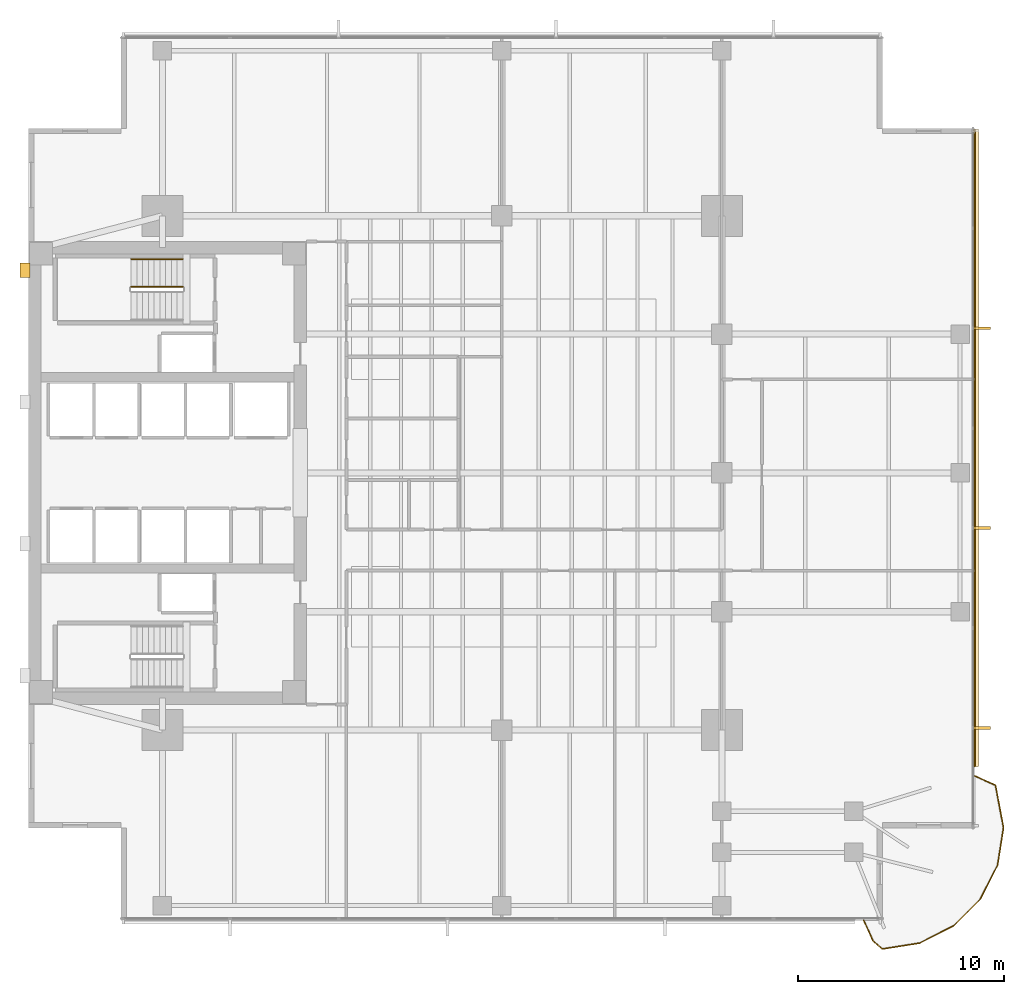
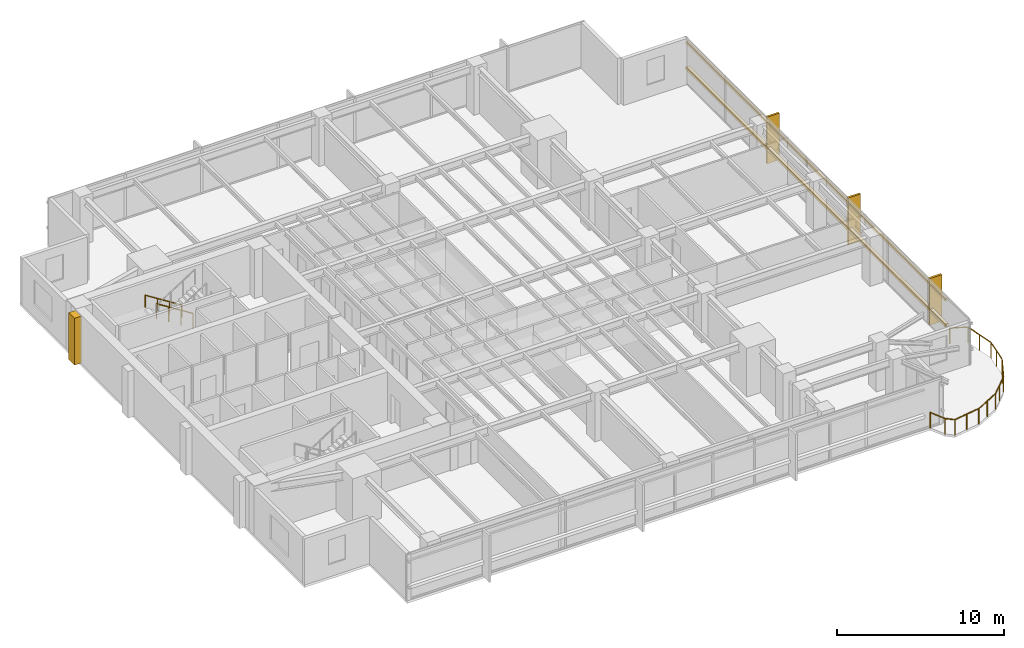
# One storey, part 14 of 15: 11 railings, 6 coverings, 2 shading devices.
"""IFC4 building model written with IfcOpenShell, lengths in metres."""

from ifc_helpers import new_model, si_unit, direction, frame, origin, origin_2d, place, context, subcontext, project, spatial, polyline, rectangle, circle, outline, extrude, material, layer, layer_set, material_profile, profile_set, type_object, element, save


model = new_model("IFC4")

# Units and contexts
model_context = context("Model", 3, precision=1e-05, world=origin(), true_north=direction((0.0, 1.0)))
body_context = subcontext(model_context, "Body", "Model", "MODEL_VIEW")
ifc_project = project(units=[si_unit("LENGTHUNIT", "METRE"), si_unit("AREAUNIT", "SQUARE_METRE"), si_unit("VOLUMEUNIT", "CUBIC_METRE"), si_unit("PLANEANGLEUNIT", "RADIAN"), si_unit("MASSUNIT", "GRAM", prefix="KILO")], contexts=[model_context])

# Site, building, storey
site_placement = place(None, origin())
site = spatial("IfcSite", under=ifc_project, at=site_placement, CompositionType="ELEMENT")
building_placement = place(site_placement, origin())
building = spatial("IfcBuilding", under=site, at=building_placement, Name="Kinhvarn Gate Tower", CompositionType="ELEMENT")
storey_placement = place(building_placement, frame((0.0, 0.0, 112.89990234375)))
storey = spatial("IfcBuildingStorey", under=building, at=storey_placement, Name="L29", CompositionType="ELEMENT", Elevation=112.89990234375)

# Coverings
ifc_material_1 = material(Name="Fired architectural terracotta", Category="masonry")
ifc_layer_1 = layer(ifc_material_1, 0.239990234375)
ifc_layer_set_1 = layer_set([ifc_layer_1], Name="Fired architectural terracotta")
covering_type_1 = type_object("IfcCoveringType", Name="COV-BAG-220", PredefinedType="CLADDING", material=ifc_layer_set_1)
for number, where, name in (
    (1, (0.0, 0.0, 0.940185546875), "Terracotta Horizontal Sunscreen Band TBG-220 (L29)"),
    (2, (0.0, 0.0, 2.81005859375), "Terracotta Horizontal Sunscreen Band TBG-220 (L29)"),
):
    element("IfcCovering", number, at=place(storey_placement, frame(where)), inside=storey, type_object=covering_type_1, Name=name, PredefinedType="CLADDING", context=body_context, shape_type="SweptSolid", body=[
        extrude(outline(polyline([(50.429931640625, 10.968994140625), (50.429931640625, 41.9599609375), (50.669921875, 41.9599609375), (50.669921875, 10.968994140625), (50.429931640625, 10.968994140625)])), origin(), (0.0, 0.0, 1.0), 0.219970703125),
    ])
ifc_layer_2 = layer(ifc_material_1, 0.139892578125)
ifc_layer_set_2 = layer_set([ifc_layer_2], Name="Fired architectural terracotta")
covering_type_2 = type_object("IfcCoveringType", Name="COV-FIN-850", PredefinedType="CLADDING", material=ifc_layer_set_2)
covering_1_placement = place(storey_placement, frame((0.0, 0.0, -0.02001953125)))
element("IfcCovering", 3, at=covering_1_placement, inside=storey, type_object=covering_type_2, Name="Vertical Terracotta Expressive Fin TFN-850 (L29)", PredefinedType="CLADDING", context=body_context, shape_type="SweptSolid", body=[
    extrude(outline(polyline([(50.419921875, 12.787109375), (50.419921875, 12.927001953125), (51.27001953125, 12.927001953125), (51.27001953125, 12.787109375), (50.419921875, 12.787109375)])), origin(), (0.0, 0.0, 1.0), 3.41015625),
])
covering_2_placement = place(storey_placement, frame((0.0, 0.0, -0.02001953125)))
element("IfcCovering", 4, at=covering_2_placement, inside=storey, type_object=covering_type_2, Name="Vertical Terracotta Expressive Fin TFN-850 (L29)", PredefinedType="CLADDING", context=body_context, shape_type="SweptSolid", body=[
    extrude(outline(polyline([(50.419921875, 22.50146484375), (50.419921875, 22.641357421875), (51.27001953125, 22.641357421875), (51.27001953125, 22.50146484375), (50.419921875, 22.50146484375)])), origin(), (0.0, 0.0, 1.0), 3.41015625),
])
covering_3_placement = place(storey_placement, frame((0.0, 0.0, -0.02001953125)))
element("IfcCovering", 5, at=covering_3_placement, inside=storey, type_object=covering_type_2, Name="Vertical Terracotta Expressive Fin TFN-850 (L29)", PredefinedType="CLADDING", context=body_context, shape_type="SweptSolid", body=[
    extrude(outline(polyline([(50.419921875, 32.2158203125), (50.419921875, 32.355712890625), (51.27001953125, 32.355712890625), (51.27001953125, 32.2158203125), (50.419921875, 32.2158203125)])), origin(), (0.0, 0.0, 1.0), 3.41015625),
])
ifc_material_2 = material(Name="Precast white architectural concrete C40/50", Category="concrete")
ifc_layer_3 = layer(ifc_material_2, 0.47998046875)
ifc_layer_set_3 = layer_set([ifc_layer_3], Name="Precast white architectural concrete C40/50")
covering_type_3 = type_object("IfcCoveringType", Name="COV-RIB-450", PredefinedType="CLADDING", material=ifc_layer_set_3)
covering_4_placement = place(storey_placement, frame((0.0, 0.0, -0.02001953125)))
element("IfcCovering", 6, at=covering_4_placement, inside=storey, type_object=covering_type_3, Name="West Core Sculptural Concrete Relief Rib CRB-450 (L29)", PredefinedType="CLADDING", context=body_context, shape_type="SweptSolid", body=[
    extrude(outline(polyline([(4.080078125, 34.75), (4.56005859375, 34.75), (4.56005859375, 35.449951171875), (4.080078125, 35.449951171875), (4.080078125, 34.75)])), origin(), (0.0, 0.0, 1.0), 3.41015625),
])

# Railings
ifc_material_3 = material(Name="Clear low-e double glazing", Category="glass")
railing_type_1 = type_object("IfcRailingType", Name="RL-BAL-1150", PredefinedType="BALUSTRADE", material=ifc_material_3)
railing_1_placement = place(storey_placement, frame((45.09912109375, 3.5, 0.0)))
element("IfcRailing", 7, at=railing_1_placement, inside=storey, type_object=railing_type_1, Name="S-Carve Balcony Guardrail Seg 1 (L29)", PredefinedType="BALUSTRADE", context=body_context, shape_type="SweptSolid", body=[
    extrude(circle(Radius=0.02392578125, at=origin_2d()), frame((0.0, 0.0, 1.1259765625), z_axis=(0.409579079217, -0.912274617573, 0.0), x_axis=(0.912274617573, 0.409579079217, 0.0)), (0.0, 0.0, 1.0), 1.0986328125),
    extrude(circle(Radius=0.02099609375, at=origin_2d()), origin(), (0.0, 0.0, 1.0), 1.101806640625),
    extrude(circle(Radius=0.02099609375, at=origin_2d()), frame((0.449951171875, -1.002197265625, 0.0)), (0.0, 0.0, 1.0), 1.101806640625),
])
railing_2_placement = place(storey_placement, frame((45.549072265625, 2.497802734375, 0.0)))
element("IfcRailing", 8, at=railing_2_placement, inside=storey, type_object=railing_type_1, Name="S-Carve Balcony Guardrail Seg 2 (L29)", PredefinedType="BALUSTRADE", context=body_context, shape_type="SweptSolid", body=[
    extrude(circle(Radius=0.02392578125, at=origin_2d()), frame((0.0, 0.0, 1.1259765625), z_axis=(0.756445316793, -0.654056941483, 0.0), x_axis=(0.654056941483, 0.756445316793, 0.0)), (0.0, 0.0, 1.0), 0.59619140625),
    extrude(circle(Radius=0.02099609375, at=origin_2d()), origin(), (0.0, 0.0, 1.0), 1.101806640625),
    extrude(circle(Radius=0.02099609375, at=origin_2d()), frame((0.450927734375, -0.389892578125, 0.0)), (0.0, 0.0, 1.0), 1.101806640625),
])
railing_3_placement = place(storey_placement, frame((46.0, 2.10791015625, 0.0)))
element("IfcRailing", 9, at=railing_3_placement, inside=storey, type_object=railing_type_1, Name="S-Carve Balcony Guardrail Seg 3 (L29)", PredefinedType="BALUSTRADE", context=body_context, shape_type="SweptSolid", body=[
    extrude(circle(Radius=0.02392578125, at=origin_2d()), frame((0.0, 0.0, 1.1259765625), z_axis=(0.987672603698, 0.156533791576, 0.0), x_axis=(-0.156533791576, 0.987672603698, 0.0)), (0.0, 0.0, 1.0), 1.843505859375),
    extrude(circle(Radius=0.02099609375, at=origin_2d()), origin(), (0.0, 0.0, 1.0), 1.101806640625),
    extrude(circle(Radius=0.02099609375, at=origin_2d()), frame((0.910400390625, 0.144287109375, 0.0)), (0.0, 0.0, 1.0), 1.101806640625),
    extrude(circle(Radius=0.02099609375, at=origin_2d()), frame((1.82080078125, 0.28857421875, 0.0)), (0.0, 0.0, 1.0), 1.101806640625),
])
railing_4_placement = place(storey_placement, frame((47.82080078125, 2.396484375, 0.0)))
element("IfcRailing", 10, at=railing_4_placement, inside=storey, type_object=railing_type_1, Name="S-Carve Balcony Guardrail Seg 4 (L29)", PredefinedType="BALUSTRADE", context=body_context, shape_type="SweptSolid", body=[
    extrude(circle(Radius=0.02392578125, at=origin_2d()), frame((0.0, 0.0, 1.1259765625), z_axis=(0.890983897568, 0.454034904246, 0.0), x_axis=(-0.454034904246, 0.890983897568, 0.0)), (0.0, 0.0, 1.0), 1.84326171875),
    extrude(circle(Radius=0.02099609375, at=origin_2d()), origin(), (0.0, 0.0, 1.0), 1.101806640625),
    extrude(circle(Radius=0.02099609375, at=origin_2d()), frame((0.8212890625, 0.41845703125, 0.0)), (0.0, 0.0, 1.0), 1.101806640625),
    extrude(circle(Radius=0.02099609375, at=origin_2d()), frame((1.642333984375, 0.8369140625, 0.0)), (0.0, 0.0, 1.0), 1.101806640625),
])
railing_5_placement = place(storey_placement, frame((49.463134765625, 3.2333984375, 0.0)))
element("IfcRailing", 11, at=railing_5_placement, inside=storey, type_object=railing_type_1, Name="S-Carve Balcony Guardrail Seg 5 (L29)", PredefinedType="BALUSTRADE", context=body_context, shape_type="SweptSolid", body=[
    extrude(circle(Radius=0.02392578125, at=origin_2d()), frame((0.0, 0.0, 1.1259765625), z_axis=(0.707106781187, 0.707106781187, 0.0), x_axis=(-0.707106781187, 0.707106781187, 0.0)), (0.0, 0.0, 1.0), 1.84326171875),
    extrude(circle(Radius=0.02099609375, at=origin_2d()), origin(), (0.0, 0.0, 1.0), 1.101806640625),
    extrude(circle(Radius=0.02099609375, at=origin_2d()), frame((0.65185546875, 0.65185546875, 0.0)), (0.0, 0.0, 1.0), 1.101806640625),
    extrude(circle(Radius=0.02099609375, at=origin_2d()), frame((1.303466796875, 1.303466796875, 0.0)), (0.0, 0.0, 1.0), 1.101806640625),
])
railing_6_placement = place(storey_placement, frame((50.7666015625, 4.536865234375, 0.0)))
element("IfcRailing", 12, at=railing_6_placement, inside=storey, type_object=railing_type_1, Name="S-Carve Balcony Guardrail Seg 6 (L29)", PredefinedType="BALUSTRADE", context=body_context, shape_type="SweptSolid", body=[
    extrude(circle(Radius=0.02392578125, at=origin_2d()), frame((0.0, 0.0, 1.1259765625), z_axis=(0.454034904246, 0.890983897568, 0.0), x_axis=(-0.890983897568, 0.454034904246, 0.0)), (0.0, 0.0, 1.0), 1.84326171875),
    extrude(circle(Radius=0.02099609375, at=origin_2d()), origin(), (0.0, 0.0, 1.0), 1.101806640625),
    extrude(circle(Radius=0.02099609375, at=origin_2d()), frame((0.41845703125, 0.8212890625, 0.0)), (0.0, 0.0, 1.0), 1.101806640625),
    extrude(circle(Radius=0.02099609375, at=origin_2d()), frame((0.8369140625, 1.642333984375, 0.0)), (0.0, 0.0, 1.0), 1.101806640625),
])
railing_7_placement = place(storey_placement, frame((51.603515625, 6.17919921875, 0.0)))
element("IfcRailing", 13, at=railing_7_placement, inside=storey, type_object=railing_type_1, Name="S-Carve Balcony Guardrail Seg 7 (L29)", PredefinedType="BALUSTRADE", context=body_context, shape_type="SweptSolid", body=[
    extrude(circle(Radius=0.02392578125, at=origin_2d()), frame((0.0, 0.0, 1.1259765625), z_axis=(0.156533791576, 0.987672603698, 0.0), x_axis=(-0.987672603698, 0.156533791576, 0.0)), (0.0, 0.0, 1.0), 1.843505859375),
    extrude(circle(Radius=0.02099609375, at=origin_2d()), origin(), (0.0, 0.0, 1.0), 1.101806640625),
    extrude(circle(Radius=0.02099609375, at=origin_2d()), frame((0.144287109375, 0.910400390625, 0.0)), (0.0, 0.0, 1.0), 1.101806640625),
    extrude(circle(Radius=0.02099609375, at=origin_2d()), frame((0.28857421875, 1.82080078125, 0.0)), (0.0, 0.0, 1.0), 1.101806640625),
])
railing_8_placement = place(storey_placement, frame((51.89208984375, 8.0, 0.0)))
element("IfcRailing", 14, at=railing_8_placement, inside=storey, type_object=railing_type_1, Name="S-Carve Balcony Guardrail Seg 8 (L29)", PredefinedType="BALUSTRADE", context=body_context, shape_type="SweptSolid", body=[
    extrude(circle(Radius=0.02392578125, at=origin_2d()), frame((0.0, 0.0, 1.1259765625), z_axis=(-0.185177581574, 0.982705074416, 0.0), x_axis=(-0.982705074416, -0.185177581574, 0.0)), (0.0, 0.0, 1.0), 2.10546875),
    extrude(circle(Radius=0.02099609375, at=origin_2d()), origin(), (0.0, 0.0, 1.0), 1.101806640625),
    extrude(circle(Radius=0.02099609375, at=origin_2d()), frame((-0.19482421875, 1.03466796875, 0.0)), (0.0, 0.0, 1.0), 1.101806640625),
    extrude(circle(Radius=0.02099609375, at=origin_2d()), frame((-0.389892578125, 2.069091796875, 0.0)), (0.0, 0.0, 1.0), 1.101806640625),
])
railing_9_placement = place(storey_placement, frame((51.502197265625, 10.069091796875, 0.0)))
element("IfcRailing", 15, at=railing_9_placement, inside=storey, type_object=railing_type_1, Name="S-Carve Balcony Guardrail Seg 9 (L29)", PredefinedType="BALUSTRADE", context=body_context, shape_type="SweptSolid", body=[
    extrude(circle(Radius=0.02392578125, at=origin_2d()), frame((0.0, 0.0, 1.1259765625), z_axis=(-0.912274617573, 0.409579079217, 0.0), x_axis=(-0.409579079217, -0.912274617573, 0.0)), (0.0, 0.0, 1.0), 1.0986328125),
    extrude(circle(Radius=0.02099609375, at=origin_2d()), origin(), (0.0, 0.0, 1.0), 1.101806640625),
    extrude(circle(Radius=0.02099609375, at=origin_2d()), frame((-1.002197265625, 0.449951171875, 0.0)), (0.0, 0.0, 1.0), 1.101806640625),
])
ifc_material_4 = material(Name="Steel S355", Category="steel")
railing_type_2 = type_object("IfcRailingType", Name="RL-ST-GRD", PredefinedType="BALUSTRADE", material=ifc_material_4)
railing_10_placement = place(storey_placement, frame((12.0, 34.300048828125, 0.177490234375)))
element("IfcRailing", 16, at=railing_10_placement, inside=storey, type_object=railing_type_2, Name="L29 ST2 stair guard 1", PredefinedType="BALUSTRADE", context=body_context, shape_type="SweptSolid", body=[
    extrude(circle(Radius=0.02392578125, at=origin_2d()), frame((0.0, 0.0, 1.076171875), z_axis=(-0.84456994832, 0.0, 0.535445237532), x_axis=(0.0, -1.0, 0.0)), (0.0, 0.0, 1.0), 2.98388671875),
    extrude(circle(Radius=0.02099609375, at=origin_2d()), origin(), (0.0, 0.0, 1.0), 1.052001953125),
    extrude(circle(Radius=0.02099609375, at=origin_2d()), frame((-0.840087890625, 0.0, 0.532470703125)), (0.0, 0.0, 1.0), 1.052001953125),
    extrude(circle(Radius=0.02099609375, at=origin_2d()), frame((-1.679931640625, 0.0, 1.065185546875)), (0.0, 0.0, 1.0), 1.052001953125),
    extrude(circle(Radius=0.02099609375, at=origin_2d()), frame((-2.52001953125, 0.0, 1.59765625)), (0.0, 0.0, 1.0), 1.052001953125),
])
railing_type_3 = type_object("IfcRailingType", Name="RL-ST-HND", PredefinedType="HANDRAIL", material=ifc_material_4)
railing_11_placement = place(storey_placement, frame((12.0, 35.64990234375, 0.177490234375)))
element("IfcRailing", 17, at=railing_11_placement, inside=storey, type_object=railing_type_3, Name="L29 ST2 stair handrail 1", PredefinedType="HANDRAIL", context=body_context, shape_type="SweptSolid", body=[
    extrude(circle(Radius=0.02392578125, at=origin_2d()), frame((0.0, 0.0, 0.8759765625), z_axis=(-0.84456994832, 0.0, 0.535445237532), x_axis=(0.0, -1.0, 0.0)), (0.0, 0.0, 1.0), 2.98388671875),
    extrude(circle(Radius=0.02099609375, at=origin_2d()), origin(), (0.0, 0.0, 1.0), 0.851806640625),
    extrude(circle(Radius=0.02099609375, at=origin_2d()), frame((-0.840087890625, 0.0, 0.532470703125)), (0.0, 0.0, 1.0), 0.851806640625),
    extrude(circle(Radius=0.02099609375, at=origin_2d()), frame((-1.679931640625, 0.0, 1.065185546875)), (0.0, 0.0, 1.0), 0.851806640625),
    extrude(circle(Radius=0.02099609375, at=origin_2d()), frame((-2.52001953125, 0.0, 1.59765625)), (0.0, 0.0, 1.0), 0.851806640625),
])

# Shading devices
ifc_material_profile = material_profile(ifc_material_1, rectangle(XDim=0.050048828125, YDim=0.1201171875, at=origin_2d()), Name="TC 50x120")
ifc_profile_set = profile_set([ifc_material_profile], Name="Fired architectural terracotta")
shading_device_type = type_object("IfcShadingDeviceType", Name="SHD-BAG-140", PredefinedType="USERDEFINED", material=ifc_profile_set)
for number, where, z_axis, x_axis, name in (
    (18, (50.5, 10.968994140625, 1.050048828125), (0.0, 1.0, 0.0), (-1.0, 0.0, 0.0), "Upper Tower Terracotta Baguette Screen Rod 50x120 mm (L29)"),
    (19, (50.5, 10.968994140625, 2.920166015625), (0.0, 1.0, 0.0), (-1.0, 0.0, 0.0), "Upper Tower Terracotta Baguette Screen Rod 50x120 mm (L29)"),
):
    element("IfcShadingDevice", number, at=place(storey_placement, frame(where, z_axis=z_axis, x_axis=x_axis)), inside=storey, type_object=shading_device_type, Name=name, ObjectType="BAGUETTE", PredefinedType="USERDEFINED", context=body_context, shape_type="SweptSolid", body=[
        extrude(rectangle(XDim=0.050048828125, YDim=0.1201171875, at=origin_2d()), origin(), (0.0, 0.0, 1.0), 30.990966796875),
    ])

save(model, "model.ifc")
